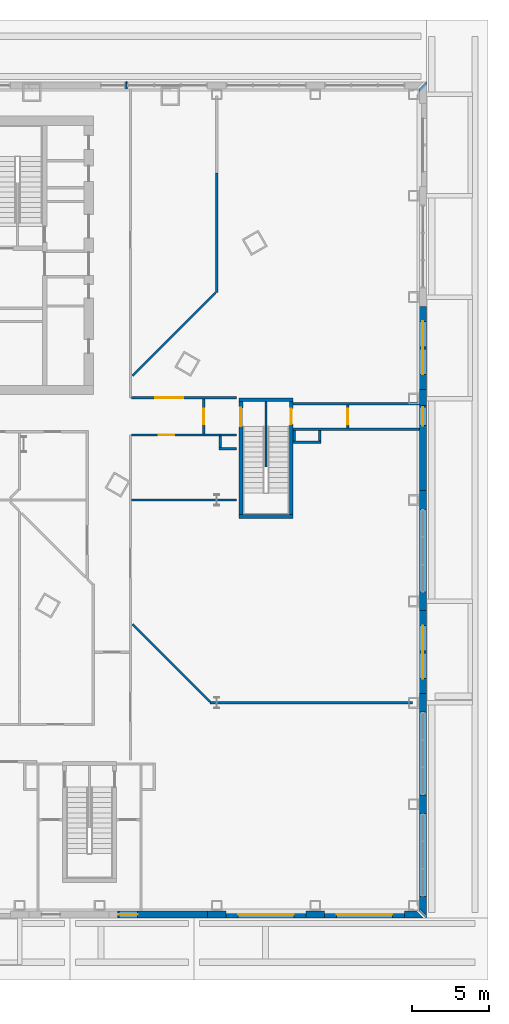
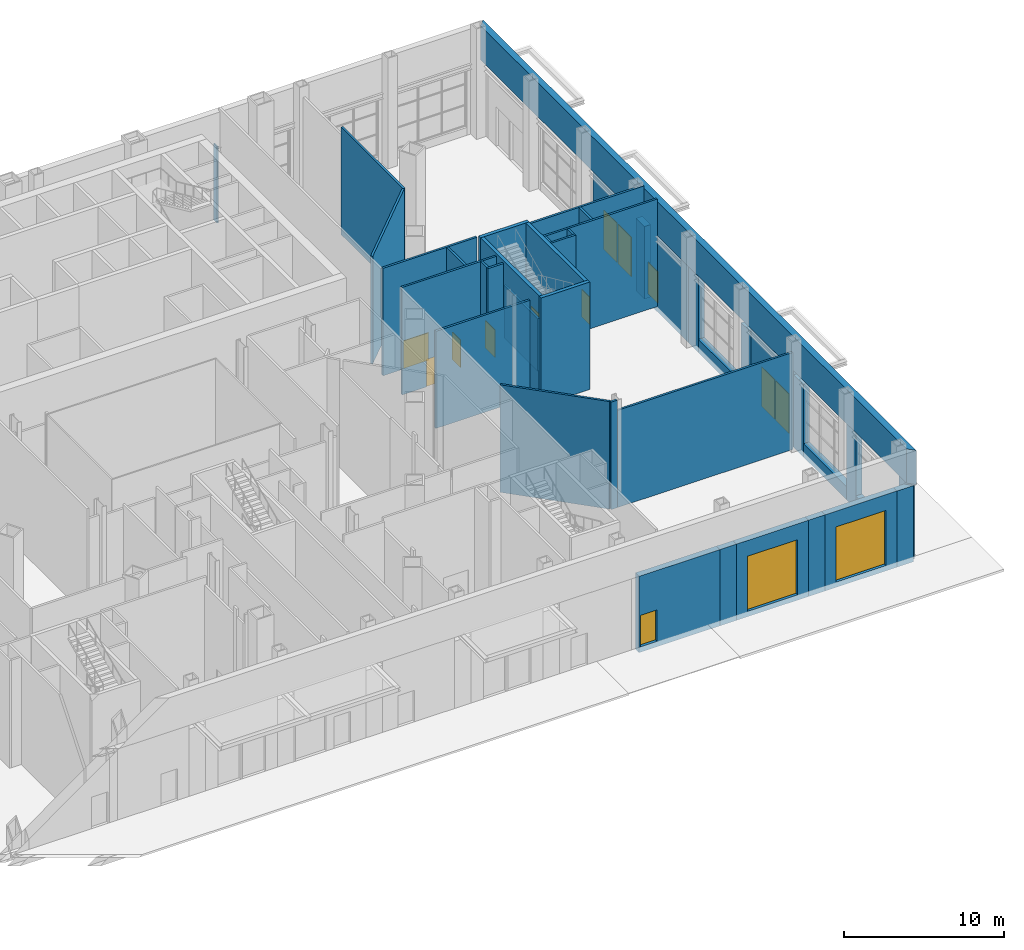
# One storey, part 23 of 34: 43 walls, 14 doors, 14 openings.
"""IFC4 building model written with IfcOpenShell, lengths in metres."""

from ifc_helpers import new_model, si_unit, direction, frame, frame_2d, origin, place, context, subcontext, project, spatial, polyline, rectangle, outline, extrude, material, layer, layer_set, type_object, element, fill, save


model = new_model("IFC4")

# Units and contexts
model_context = context("Model", 3, precision=1e-05, world=origin(), true_north=direction((0.0, 1.0)))
body_context = subcontext(model_context, "Body", "Model", "MODEL_VIEW")
ifc_project = project(units=[si_unit("LENGTHUNIT", "METRE"), si_unit("AREAUNIT", "SQUARE_METRE"), si_unit("VOLUMEUNIT", "CUBIC_METRE"), si_unit("PLANEANGLEUNIT", "RADIAN"), si_unit("MASSUNIT", "GRAM", prefix="KILO")], contexts=[model_context])

# Site, building, storey
site_placement = place(None, origin())
site = spatial("IfcSite", under=ifc_project, at=site_placement, CompositionType="ELEMENT")
building_placement = place(site_placement, origin())
building = spatial("IfcBuilding", under=site, at=building_placement, Name="Njiva Tower", CompositionType="ELEMENT")
storey_placement = place(building_placement, origin())
storey = spatial("IfcBuildingStorey", under=building, at=storey_placement, Name="L00", CompositionType="ELEMENT", Elevation=0.0)

# Wall, opening, door
ifc_material_1 = material(Name="Blockwork", Category="masonry")
ifc_layer_1 = layer(ifc_material_1, 0.15)
ifc_layer_set_1 = layer_set([ifc_layer_1], Name="Blockwork")
wall_type_1 = type_object("IfcWallType", Name="WT2 Lobby partition 150", PredefinedType="PARTITIONING", material=ifc_layer_set_1)
wall_1_placement = place(storey_placement, frame((33.925, -2.15, 0.0), z_axis=(0.0, 0.0, 1.0), x_axis=(0.0, 1.0, 0.0)))
wall_1 = element("IfcWall", 1, at=wall_1_placement, inside=storey, type_object=wall_type_1, Name="Stair G upper vestibule wall", PredefinedType="PARTITIONING", context=body_context, shape_type="SweptSolid", body=[
    extrude(rectangle(XDim=1.5, YDim=0.15, at=frame_2d((0.75, 0.0))), origin(), (0.0, 0.0, 1.0), 8.18),
])
opening_1_placement = place(wall_1_placement, frame((0.25, 0.0, 0.0)))
opening_1 = element("IfcOpeningElement", 2, at=opening_1_placement, cuts=wall_1, Name="Opening L00-D961", PredefinedType="OPENING", context=body_context, shape_type="SweptSolid", body=[
    extrude(rectangle(XDim=1.0, YDim=2.1, at=frame_2d((0.5, 1.05))), frame((0.0, 0.085, 0.0), z_axis=(0.0, -1.0, 0.0), x_axis=(1.0, 0.0, 0.0)), (0.0, 0.0, 1.0), 0.17),
])
ifc_material_2 = material(Name="Glazed steel fire door", Category="steel")
door_type_1 = type_object("IfcDoorType", Name="D11 Stair passage door 1000x2100 glazed", OperationType="SINGLE_SWING_LEFT", PredefinedType="DOOR", material=ifc_material_2)
door_1_placement = place(opening_1_placement, origin())
door_1 = element("IfcDoor", 3, at=door_1_placement, inside=storey, type_object=door_type_1, Name="Stair G passage door", OperationType="SINGLE_SWING_LEFT", OverallHeight=2.1, OverallWidth=1.0, PredefinedType="DOOR", context=body_context, shape_type="SweptSolid", body=[
    extrude(rectangle(XDim=1.0, YDim=2.1, at=frame_2d((0.5, 1.05))), frame((0.0, 0.025, 0.0), z_axis=(0.0, -1.0, 0.0), x_axis=(1.0, 0.0, 0.0)), (0.0, 0.0, 1.0), 0.05),
])
fill(opening_1, door_1)

# Wall
ifc_material_3 = material(Name="Gypsum board on steel studs", Category="gypsum")
ifc_layer_2 = layer(ifc_material_3, 0.15)
ifc_layer_set_2 = layer_set([ifc_layer_2], Name="Gypsum board on steel studs")
wall_type_2 = type_object("IfcWallType", Name="WT21 Compartment wall 150", PredefinedType="PARTITIONING", material=ifc_layer_set_2)
wall_2_placement = place(storey_placement, frame((19.975, -6.8, 0.0), z_axis=(0.0, 0.0, 1.0), x_axis=(1.0, 0.0, 0.0)))
element("IfcWall", 4, at=wall_2_placement, inside=storey, type_object=wall_type_2, Name="Partition L00-P068", PredefinedType="PARTITIONING", context=body_context, shape_type="SweptSolid", body=[
    extrude(rectangle(XDim=6.775, YDim=0.15, at=frame_2d((3.3875, 0.0))), origin(), (0.0, 0.0, 1.0), 7.39),
])

# Wall, opening, door
wall_3_placement = place(storey_placement, frame((19.975, -2.6, 0.0), z_axis=(0.0, 0.0, 1.0), x_axis=(1.0, 0.0, 0.0)))
wall_3 = element("IfcWall", 5, at=wall_3_placement, inside=storey, type_object=wall_type_2, Name="Partition L00-P069", PredefinedType="PARTITIONING", context=body_context, shape_type="SweptSolid", body=[
    extrude(rectangle(XDim=5.713, YDim=0.15, at=frame_2d((2.8565, 0.0))), origin(), (0.0, 0.0, 1.0), 8.18),
])
opening_2_placement = place(wall_3_placement, frame((1.756, 0.0, 0.0)))
opening_2 = element("IfcOpeningElement", 6, at=opening_2_placement, cuts=wall_3, Name="Opening L00-D028", PredefinedType="OPENING", context=body_context, shape_type="SweptSolid", body=[
    extrude(rectangle(XDim=1.0, YDim=2.1, at=frame_2d((0.5, 1.05))), frame((0.0, 0.085, 0.0), z_axis=(0.0, -1.0, 0.0), x_axis=(1.0, 0.0, 0.0)), (0.0, 0.0, 1.0), 0.17),
])
ifc_material_4 = material(Name="Steel fire door set", Category="steel")
door_type_2 = type_object("IfcDoorType", Name="D37 Fire door 1000x2100", OperationType="SINGLE_SWING_LEFT", PredefinedType="DOOR", material=ifc_material_4)
door_2_placement = place(opening_2_placement, origin())
door_2 = element("IfcDoor", 7, at=door_2_placement, inside=storey, type_object=door_type_2, Name="Door L00-D028", OperationType="SINGLE_SWING_LEFT", OverallHeight=2.1, OverallWidth=1.0, PredefinedType="DOOR", context=body_context, shape_type="SweptSolid", body=[
    extrude(rectangle(XDim=1.0, YDim=2.1, at=frame_2d((0.5, 1.05))), frame((0.0, 0.025, 0.0), z_axis=(0.0, -1.0, 0.0), x_axis=(1.0, 0.0, 0.0)), (0.0, 0.0, 1.0), 0.05),
])
fill(opening_2, door_2)

wall_4_placement = place(storey_placement, frame((19.975, -0.2, 0.0), z_axis=(0.0, 0.0, 1.0), x_axis=(1.0, 0.0, 0.0)))
wall_4 = element("IfcWall", 8, at=wall_4_placement, inside=storey, type_object=wall_type_2, Name="Partition L00-P070", PredefinedType="PARTITIONING", context=body_context, shape_type="SweptSolid", body=[
    extrude(rectangle(XDim=6.775, YDim=0.15, at=frame_2d((3.3875, 0.0))), origin(), (0.0, 0.0, 1.0), 8.18),
])
opening_3_placement = place(wall_4_placement, frame((1.522, 0.0, 0.0)))
opening_3 = element("IfcOpeningElement", 9, at=opening_3_placement, cuts=wall_4, Name="Opening L00-D029", PredefinedType="OPENING", context=body_context, shape_type="SweptSolid", body=[
    extrude(rectangle(XDim=1.8, YDim=2.1, at=frame_2d((0.9, 1.05))), frame((0.0, 0.085, 0.0), z_axis=(0.0, -1.0, 0.0), x_axis=(1.0, 0.0, 0.0)), (0.0, 0.0, 1.0), 0.17),
])
door_type_3 = type_object("IfcDoorType", Name="D38 Fire door 1800x2100", OperationType="DOUBLE_DOOR_SINGLE_SWING", PredefinedType="DOOR", material=ifc_material_4)
door_3_placement = place(opening_3_placement, origin())
door_3 = element("IfcDoor", 10, at=door_3_placement, inside=storey, type_object=door_type_3, Name="Door L00-D029", OperationType="DOUBLE_DOOR_SINGLE_SWING", OverallHeight=2.1, OverallWidth=1.8, PredefinedType="DOOR", context=body_context, shape_type="SweptSolid", body=[
    extrude(rectangle(XDim=1.8, YDim=2.1, at=frame_2d((0.9, 1.05))), frame((0.0, 0.025, 0.0), z_axis=(0.0, -1.0, 0.0), x_axis=(1.0, 0.0, 0.0)), (0.0, 0.0, 1.0), 0.05),
])
fill(opening_3, door_3)

# Walls
wall_5_placement = place(storey_placement, frame((20.028, -14.827, 0.0), z_axis=(0.0, 0.0, 1.0), x_axis=(0.707106781187, -0.707106781187, 0.0)))
element("IfcWall", 11, at=wall_5_placement, inside=storey, type_object=wall_type_2, Name="Partition L00-P071", PredefinedType="PARTITIONING", context=body_context, shape_type="SweptSolid", body=[
    extrude(rectangle(XDim=7.0682, YDim=0.15, at=frame_2d((3.5341, 0.0))), origin(), (0.0, 0.0, 1.0), 8.18),
])
wall_6_placement = place(storey_placement, frame((20.028, 1.228, 0.0), z_axis=(0.0, 0.0, 1.0), x_axis=(0.707106781187, 0.707106781187, 0.0)))
element("IfcWall", 12, at=wall_6_placement, inside=storey, type_object=wall_type_2, Name="Partition L00-P072", PredefinedType="PARTITIONING", context=body_context, shape_type="SweptSolid", body=[
    extrude(rectangle(XDim=7.5858, YDim=0.15, at=frame_2d((3.7929, 0.0))), origin(), (0.0, 0.0, 1.0), 8.18),
])

# Wall, opening, door
wall_7_placement = place(storey_placement, frame((24.625, -2.525, 0.0), z_axis=(0.0, 0.0, 1.0), x_axis=(0.0, 1.0, 0.0)))
wall_7 = element("IfcWall", 13, at=wall_7_placement, inside=storey, type_object=wall_type_2, Name="Partition L00-P073", PredefinedType="PARTITIONING", context=body_context, shape_type="SweptSolid", body=[
    extrude(rectangle(XDim=2.25, YDim=0.15, at=frame_2d((1.125, 0.0))), origin(), (0.0, 0.0, 1.0), 8.18),
])
opening_4_placement = place(wall_7_placement, frame((0.625, 0.0, 0.0)))
opening_4 = element("IfcOpeningElement", 14, at=opening_4_placement, cuts=wall_7, Name="Opening L00-D030", PredefinedType="OPENING", context=body_context, shape_type="SweptSolid", body=[
    extrude(rectangle(XDim=1.0, YDim=2.1, at=frame_2d((0.5, 1.05))), frame((0.0, 0.085, 0.0), z_axis=(0.0, -1.0, 0.0), x_axis=(1.0, 0.0, 0.0)), (0.0, 0.0, 1.0), 0.17),
])
door_type_4 = type_object("IfcDoorType", Name="D41 Glazed fire door 1000x2100", OperationType="SINGLE_SWING_LEFT", PredefinedType="DOOR", material=ifc_material_2)
door_4_placement = place(opening_4_placement, origin())
door_4 = element("IfcDoor", 15, at=door_4_placement, inside=storey, type_object=door_type_4, Name="Door L00-D030", OperationType="SINGLE_SWING_LEFT", OverallHeight=2.1, OverallWidth=1.0, PredefinedType="DOOR", context=body_context, shape_type="SweptSolid", body=[
    extrude(rectangle(XDim=1.0, YDim=2.1, at=frame_2d((0.5, 1.05))), frame((0.0, 0.025, 0.0), z_axis=(0.0, -1.0, 0.0), x_axis=(1.0, 0.0, 0.0)), (0.0, 0.0, 1.0), 0.05),
])
fill(opening_4, door_4)

# Walls
wall_8_placement = place(storey_placement, frame((25.026, -19.9, 0.0), z_axis=(0.0, 0.0, 1.0), x_axis=(1.0, 0.0, 0.0)))
element("IfcWall", 16, at=wall_8_placement, inside=storey, type_object=wall_type_2, Name="Partition L00-P074", PredefinedType="PARTITIONING", context=body_context, shape_type="SweptSolid", body=[
    extrude(rectangle(XDim=0.441, YDim=0.15, at=frame_2d((0.2205, 0.0))), origin(), (0.0, 0.0, 1.0), 8.18),
])
wall_9_placement = place(storey_placement, frame((25.467, -19.9, 0.0), z_axis=(0.0, 0.0, 1.0), x_axis=(0.999999996867, 7.9157761e-05, 0.0)))
element("IfcWall", 17, at=wall_9_placement, inside=storey, type_object=wall_type_2, Name="Partition L00-P074A", PredefinedType="PARTITIONING", context=body_context, shape_type="SweptSolid", body=[
    extrude(rectangle(XDim=12.633, YDim=0.15, at=frame_2d((6.3165, 0.0))), origin(), (0.0, 0.0, 1.0), 7.39),
])
wall_10_placement = place(storey_placement, frame((25.467, 6.592, 0.0), z_axis=(0.0, 0.0, 1.0), x_axis=(0.0, 1.0, 0.0)))
element("IfcWall", 18, at=wall_10_placement, inside=storey, type_object=wall_type_2, Name="Partition L00-P075", PredefinedType="PARTITIONING", context=body_context, shape_type="SweptSolid", body=[
    extrude(rectangle(XDim=7.736, YDim=0.15, at=frame_2d((3.868, 0.0))), origin(), (0.0, 0.0, 1.0), 8.18),
])
ifc_layer_3 = layer(ifc_material_3, 0.15)
ifc_layer_set_3 = layer_set([ifc_layer_3], Name="Gypsum board on steel studs")
wall_type_3 = type_object("IfcWallType", Name="WT24 Riser room wall 150", PredefinedType="PARTITIONING", material=ifc_layer_set_3)
wall_11_placement = place(storey_placement, frame((25.625, -3.5, 0.0), z_axis=(0.0, 0.0, 1.0), x_axis=(1.0, 0.0, 0.0)))
element("IfcWall", 19, at=wall_11_placement, inside=storey, type_object=wall_type_3, Name="Partition L00-P076", PredefinedType="PARTITIONING", context=body_context, shape_type="SweptSolid", body=[
    extrude(rectangle(XDim=1.125, YDim=0.15, at=frame_2d((0.5625, 0.0))), origin(), (0.0, 0.0, 1.0), 8.18),
])
wall_12_placement = place(storey_placement, frame((25.688, -2.6, 0.0), z_axis=(0.0, 0.0, 1.0), x_axis=(1.0, 0.0, 0.0)))
element("IfcWall", 20, at=wall_12_placement, inside=storey, type_object=wall_type_3, Name="Partition L00-P077", PredefinedType="PARTITIONING", context=body_context, shape_type="SweptSolid", body=[
    extrude(rectangle(XDim=1.062, YDim=0.15, at=frame_2d((0.531, 0.0))), origin(), (0.0, 0.0, 1.0), 8.18),
])
wall_13_placement = place(storey_placement, frame((25.7, -3.425, 0.0), z_axis=(0.0, 0.0, 1.0), x_axis=(0.0, 1.0, 0.0)))
element("IfcWall", 21, at=wall_13_placement, inside=storey, type_object=wall_type_3, Name="Partition L00-P078", PredefinedType="PARTITIONING", context=body_context, shape_type="SweptSolid", body=[
    extrude(rectangle(XDim=0.75, YDim=0.15, at=frame_2d((0.375, 0.0))), origin(), (0.0, 0.0, 1.0), 8.18),
])
ifc_layer_4 = layer(ifc_material_1, 0.15)
ifc_layer_set_4 = layer_set([ifc_layer_4], Name="Blockwork")
wall_type_4 = type_object("IfcWallType", Name="WT4 Stair partition 150", PredefinedType="PARTITIONING", material=ifc_layer_set_4)
wall_14_placement = place(storey_placement, frame((28.65, -4.67, 0.0), z_axis=(0.0, 0.0, 1.0), x_axis=(0.0, 1.0, 0.0)))
element("IfcWall", 22, at=wall_14_placement, inside=storey, type_object=wall_type_4, Name="Stair G dividing wall", PredefinedType="PARTITIONING", context=body_context, shape_type="SweptSolid", body=[
    extrude(rectangle(XDim=4.22, YDim=0.15, at=frame_2d((2.11, 0.0))), origin(), (0.0, 0.0, 1.0), 4.0),
])
for number, where, z_axis, x_axis, name in (
    (23, (38.55, -2.225, 0.0), (0.0, 0.0, 1.0), (-1.0, 0.0, 0.0), "Stair G exit passage wall south"),
    (24, (38.55, -0.575, 0.0), (0.0, 0.0, 1.0), (-1.0, 0.0, 0.0), "Stair G exit passage wall north"),
):
    element("IfcWall", number, at=place(storey_placement, frame(where, z_axis=z_axis, x_axis=x_axis)), inside=storey, type_object=wall_type_4, Name=name, PredefinedType="PARTITIONING", context=body_context, shape_type="SweptSolid", body=[
        extrude(rectangle(XDim=8.15, YDim=0.15, at=frame_2d((4.075, 0.0))), origin(), (0.0, 0.0, 1.0), 8.18),
    ])
wall_15_placement = place(storey_placement, frame((30.4, -3.075, 0.0), z_axis=(0.0, 0.0, 1.0), x_axis=(1.0, 0.0, 0.0)))
element("IfcWall", 25, at=wall_15_placement, inside=storey, type_object=wall_type_4, Name="Stair G upper pressurisation shaft wall", PredefinedType="PARTITIONING", context=body_context, shape_type="SweptSolid", body=[
    extrude(rectangle(XDim=1.8, YDim=0.15, at=frame_2d((0.9, 0.0))), origin(), (0.0, 0.0, 1.0), 8.18),
])
for number, where, z_axis, x_axis, name in (
    (26, (30.475, -3.0, 0.0), (0.0, 0.0, 1.0), (0.0, 1.0, 0.0), "Stair G upper pressurisation shaft wall"),
    (27, (32.125, -3.0, 0.0), (0.0, 0.0, 1.0), (0.0, 1.0, 0.0), "Stair G upper pressurisation shaft wall"),
):
    element("IfcWall", number, at=place(storey_placement, frame(where, z_axis=z_axis, x_axis=x_axis)), inside=storey, type_object=wall_type_4, Name=name, PredefinedType="PARTITIONING", context=body_context, shape_type="SweptSolid", body=[
        extrude(rectangle(XDim=0.7, YDim=0.15, at=frame_2d((0.35, 0.0))), origin(), (0.0, 0.0, 1.0), 8.18),
    ])

# Wall, opening, door
ifc_material_5 = material(Name="Concrete C40/50", Category="concrete")
ifc_layer_5 = layer(ifc_material_5, 0.25)
ifc_layer_set_5 = layer_set([ifc_layer_5], Name="Concrete C40/50")
wall_type_5 = type_object("IfcWallType", Name="WT9 Stair enclosure wall 250", PredefinedType="SHEAR", material=ifc_layer_set_5)
wall_16_placement = place(storey_placement, frame((27.025, -7.75, 0.0), z_axis=(0.0, 0.0, 1.0), x_axis=(0.0, 1.0, 0.0)))
wall_16 = element("IfcWall", 28, at=wall_16_placement, inside=storey, type_object=wall_type_5, Name="Stair G wall west", PredefinedType="SHEAR", context=body_context, shape_type="SweptSolid", body=[
    extrude(rectangle(XDim=7.3, YDim=0.25, at=frame_2d((3.65, 0.0))), origin(), (0.0, 0.0, 1.0), 8.18),
])
opening_5_placement = place(wall_16_placement, frame((5.7, 0.0, 0.0)))
opening_5 = element("IfcOpeningElement", 29, at=opening_5_placement, cuts=wall_16, Name="Opening L00-D959", PredefinedType="OPENING", context=body_context, shape_type="SweptSolid", body=[
    extrude(rectangle(XDim=1.2, YDim=2.1, at=frame_2d((0.6, 1.05))), frame((0.0, 0.135, 0.0), z_axis=(0.0, -1.0, 0.0), x_axis=(1.0, 0.0, 0.0)), (0.0, 0.0, 1.0), 0.27),
])
ifc_material_6 = material(Name="Steel door, painted", Category="steel")
door_type_5 = type_object("IfcDoorType", Name="D1 Stair door 1200x2100", OperationType="SINGLE_SWING_LEFT", PredefinedType="DOOR", material=ifc_material_6)
door_5_placement = place(opening_5_placement, origin())
door_5 = element("IfcDoor", 30, at=door_5_placement, inside=storey, type_object=door_type_5, Name="Stair G door", OperationType="SINGLE_SWING_LEFT", OverallHeight=2.1, OverallWidth=1.2, PredefinedType="DOOR", context=body_context, shape_type="SweptSolid", body=[
    extrude(rectangle(XDim=1.2, YDim=2.1, at=frame_2d((0.6, 1.05))), frame((0.0, 0.025, 0.0), z_axis=(0.0, -1.0, 0.0), x_axis=(1.0, 0.0, 0.0)), (0.0, 0.0, 1.0), 0.05),
])
fill(opening_5, door_5)

wall_17_placement = place(storey_placement, frame((30.275, -7.75, 0.0), z_axis=(0.0, 0.0, 1.0), x_axis=(0.0, 1.0, 0.0)))
wall_17 = element("IfcWall", 31, at=wall_17_placement, inside=storey, type_object=wall_type_5, Name="Stair G wall east", PredefinedType="SHEAR", context=body_context, shape_type="SweptSolid", body=[
    extrude(rectangle(XDim=7.3, YDim=0.25, at=frame_2d((3.65, 0.0))), origin(), (0.0, 0.0, 1.0), 8.18),
])
opening_6_placement = place(wall_17_placement, frame((5.85, 0.0, 0.0)))
opening_6 = element("IfcOpeningElement", 32, at=opening_6_placement, cuts=wall_17, Name="Opening L00-D960", PredefinedType="OPENING", context=body_context, shape_type="SweptSolid", body=[
    extrude(rectangle(XDim=1.0, YDim=2.1, at=frame_2d((0.5, 1.05))), frame((0.0, 0.135, 0.0), z_axis=(0.0, -1.0, 0.0), x_axis=(1.0, 0.0, 0.0)), (0.0, 0.0, 1.0), 0.27),
])
door_type_6 = type_object("IfcDoorType", Name="D9 Stair vestibule door 1000x2100 glazed", OperationType="SINGLE_SWING_LEFT", PredefinedType="DOOR", material=ifc_material_2)
door_6_placement = place(opening_6_placement, origin())
door_6 = element("IfcDoor", 33, at=door_6_placement, inside=storey, type_object=door_type_6, Name="Stair G door", OperationType="SINGLE_SWING_RIGHT", OverallHeight=2.1, OverallWidth=1.0, PredefinedType="DOOR", context=body_context, shape_type="SweptSolid", body=[
    extrude(rectangle(XDim=1.0, YDim=2.1, at=frame_2d((0.5, 1.05))), frame((0.0, 0.025, 0.0), z_axis=(0.0, -1.0, 0.0), x_axis=(1.0, 0.0, 0.0)), (0.0, 0.0, 1.0), 0.05),
])
fill(opening_6, door_6)

# Walls
for number, where, z_axis, x_axis, name in (
    (34, (26.9, -7.875, 0.0), (0.0, 0.0, 1.0), (1.0, 0.0, 0.0), "Stair G wall south"),
    (35, (26.9, -0.325, 0.0), (0.0, 0.0, 1.0), (1.0, 0.0, 0.0), "Stair G wall north"),
):
    element("IfcWall", number, at=place(storey_placement, frame(where, z_axis=z_axis, x_axis=x_axis)), inside=storey, type_object=wall_type_5, Name=name, PredefinedType="SHEAR", context=body_context, shape_type="SweptSolid", body=[
        extrude(rectangle(XDim=3.5, YDim=0.25, at=frame_2d((1.75, 0.0))), origin(), (0.0, 0.0, 1.0), 8.18),
    ])
ifc_material_7 = material(Name="Brick masonry", Category="masonry")
ifc_layer_6 = layer(ifc_material_7, 0.45)
ifc_layer_set_6 = layer_set([ifc_layer_6], Name="Brick masonry")
wall_type_6 = type_object("IfcWallType", Name="WT90 Brick pier and spandrel wall 450", PredefinedType="SOLIDWALL", material=ifc_layer_set_6)
wall_18_placement = place(storey_placement, frame((38.775, -33.575, 5.4), z_axis=(0.0, 0.0, 1.0), x_axis=(0.0, 1.0, 0.0)))
element("IfcWall", 36, at=wall_18_placement, inside=storey, type_object=wall_type_6, Name="Podium frieze E", PredefinedType="SOLIDWALL", context=body_context, shape_type="SweptSolid", body=[
    extrude(outline(polyline([(-0.225, -0.225), (53.775, -0.225), (53.325, 0.225), (0.225, 0.225), (-0.225, -0.225)])), origin(), (0.0, 0.0, 1.0), 2.6),
])
wall_19_placement = place(storey_placement, frame((38.775, -33.375, -0.4), z_axis=(0.0, 0.0, 1.0), x_axis=(0.0, 1.0, 0.0)))
element("IfcWall", 37, at=wall_19_placement, inside=storey, type_object=wall_type_6, Name="Podium pier E1", PredefinedType="SOLIDWALL", context=body_context, shape_type="SweptSolid", body=[
    extrude(outline(polyline([(-0.225, -0.225), (0.975, -0.225), (0.975, 0.225), (0.225, 0.225), (-0.225, -0.225)])), origin(), (0.0, 0.0, 1.0), 5.8),
])
wall_20_placement = place(storey_placement, frame((38.775, -27.05, -0.4), z_axis=(0.0, 0.0, 1.0), x_axis=(0.0, 1.0, 0.0)))
element("IfcWall", 38, at=wall_20_placement, inside=storey, type_object=wall_type_6, Name="Podium pier E2", PredefinedType="SOLIDWALL", context=body_context, shape_type="SweptSolid", body=[
    extrude(outline(polyline([(0.0, -0.225), (1.2, -0.225), (1.2, 0.225), (0.0, 0.225), (0.0, -0.225)])), origin(), (0.0, 0.0, 1.0), 5.8),
])
for number, where, z_axis, x_axis, name in (
    (39, (38.775, -20.5, -0.4), (0.0, 0.0, 1.0), (0.0, 1.0, 0.0), "Podium pier E3"),
    (40, (38.775, -13.95, -0.4), (0.0, 0.0, 1.0), (0.0, 1.0, 0.0), "Podium pier E4"),
):
    element("IfcWall", number, at=place(storey_placement, frame(where, z_axis=z_axis, x_axis=x_axis)), inside=storey, type_object=wall_type_6, Name=name, PredefinedType="SOLIDWALL", context=body_context, shape_type="SweptSolid", body=[
        extrude(outline(polyline([(0.0, -0.225), (1.2, -0.225), (1.2, 0.225), (0.0, 0.225), (0.0, -0.225)])), origin(), (0.0, 0.0, 1.0), 5.51),
    ])
wall_21_placement = place(storey_placement, frame((38.775, -7.4, -0.4), z_axis=(0.0, 0.0, 1.0), x_axis=(0.0, 1.0, 0.0)))
element("IfcWall", 41, at=wall_21_placement, inside=storey, type_object=wall_type_6, Name="Podium pier E5", PredefinedType="SOLIDWALL", context=body_context, shape_type="SweptSolid", body=[
    extrude(outline(polyline([(0.0, -0.225), (1.2, -0.225), (1.2, 0.225), (0.0, 0.225), (0.0, -0.225)])), origin(), (0.0, 0.0, 1.0), 5.8),
])
wall_22_placement = place(storey_placement, frame((38.775, -0.7, -0.4), z_axis=(0.0, 0.0, 1.0), x_axis=(0.0, 1.0, 0.0)))
element("IfcWall", 42, at=wall_22_placement, inside=storey, type_object=wall_type_6, Name="Podium pier E6", PredefinedType="SOLIDWALL", context=body_context, shape_type="SweptSolid", body=[
    extrude(outline(polyline([(0.0, -0.225), (1.05, -0.225), (1.05, 0.225), (0.0, 0.225), (0.0, -0.225)])), origin(), (0.0, 0.0, 1.0), 5.51),
])
for number, where, z_axis, x_axis, name in (
    (43, (38.775, -32.4, -0.4), (0.0, 0.0, 1.0), (0.0, 1.0, 0.0), "Shopfront plinth E1"),
    (44, (38.775, -25.85, -0.4), (0.0, 0.0, 1.0), (0.0, 1.0, 0.0), "Shopfront plinth E2"),
    (45, (38.775, -12.75, -0.4), (0.0, 0.0, 1.0), (0.0, 1.0, 0.0), "Shopfront plinth E4"),
):
    element("IfcWall", number, at=place(storey_placement, frame(where, z_axis=z_axis, x_axis=x_axis)), inside=storey, type_object=wall_type_6, Name=name, PredefinedType="SOLIDWALL", context=body_context, shape_type="SweptSolid", body=[
        extrude(outline(polyline([(0.0, -0.225), (5.35, -0.225), (5.35, 0.225), (0.0, 0.225), (0.0, -0.225)])), origin(), (0.0, 0.0, 1.0), 1.0),
    ])
wall_23_placement = place(storey_placement, frame((19.7, 19.975, -0.4), z_axis=(0.0, 0.0, 1.0), x_axis=(-1.0, 0.0, 0.0)))
element("IfcWall", 46, at=wall_23_placement, inside=storey, type_object=wall_type_6, Name="Podium pier N4", PredefinedType="SOLIDWALL", context=body_context, shape_type="SweptSolid", body=[
    extrude(outline(polyline([(0.0, -0.225), (0.1, -0.225), (0.1, 0.225), (0.0, 0.225), (0.0, -0.225)])), origin(), (0.0, 0.0, 1.0), 5.8),
])
for number, where, z_axis, x_axis, name in (
    (47, (24.8667, -33.575, -0.4), (0.0, 0.0, 1.0), (1.0, 0.0, 0.0), "Podium pier S11"),
    (48, (31.2333, -33.575, -0.4), (0.0, 0.0, 1.0), (1.0, 0.0, 0.0), "Podium pier S12"),
):
    element("IfcWall", number, at=place(storey_placement, frame(where, z_axis=z_axis, x_axis=x_axis)), inside=storey, type_object=wall_type_6, Name=name, PredefinedType="SOLIDWALL", context=body_context, shape_type="SweptSolid", body=[
        extrude(outline(polyline([(0.0, -0.225), (1.2, -0.225), (1.2, 0.225), (0.0, 0.225), (0.0, -0.225)])), origin(), (0.0, 0.0, 1.0), 5.8),
    ])
wall_24_placement = place(storey_placement, frame((37.6, -33.575, -0.4), z_axis=(0.0, 0.0, 1.0), x_axis=(1.0, 0.0, 0.0)))
element("IfcWall", 49, at=wall_24_placement, inside=storey, type_object=wall_type_6, Name="Podium pier S13", PredefinedType="SOLIDWALL", context=body_context, shape_type="SweptSolid", body=[
    extrude(outline(polyline([(0.0, -0.225), (1.2, -0.225), (0.75, 0.225), (0.0, 0.225), (0.0, -0.225)])), origin(), (0.0, 0.0, 1.0), 5.8),
])

# Wall, openings, doors
ifc_layer_7 = layer(ifc_material_7, 0.45)
ifc_layer_set_7 = layer_set([ifc_layer_7], Name="Brick masonry")
wall_type_7 = type_object("IfcWallType", Name="WT91 Entrance infill wall 450", PredefinedType="SOLIDWALL", material=ifc_layer_set_7)
wall_25_placement = place(storey_placement, frame((38.775, -19.3, -0.4), z_axis=(0.0, 0.0, 1.0), x_axis=(0.0, 1.0, 0.0)))
wall_25 = element("IfcWall", 50, at=wall_25_placement, inside=storey, type_object=wall_type_7, Name="Entrance infill E3", PredefinedType="SOLIDWALL", context=body_context, shape_type="SweptSolid", body=[
    extrude(outline(polyline([(0.0, -0.225), (5.35, -0.225), (5.35, 0.225), (0.0, 0.225), (0.0, -0.225)])), origin(), (0.0, 0.0, 1.0), 5.8),
])
opening_7_placement = place(wall_25_placement, frame((0.965, 0.0, 0.4)))
opening_7 = element("IfcOpeningElement", 51, at=opening_7_placement, cuts=wall_25, Name="Opening L00-D01", PredefinedType="OPENING", context=body_context, shape_type="SweptSolid", body=[
    extrude(rectangle(XDim=1.65, YDim=3.0, at=frame_2d((0.825, 1.5))), frame((0.0, 0.235, 0.0), z_axis=(0.0, -1.0, 0.0), x_axis=(1.0, 0.0, 0.0)), (0.0, 0.0, 1.0), 0.47),
])
opening_8_placement = place(wall_25_placement, frame((2.735, 0.0, 0.4)))
opening_8 = element("IfcOpeningElement", 52, at=opening_8_placement, cuts=wall_25, Name="Opening L00-D13", PredefinedType="OPENING", context=body_context, shape_type="SweptSolid", body=[
    extrude(rectangle(XDim=1.65, YDim=3.0, at=frame_2d((0.825, 1.5))), frame((0.0, 0.235, 0.0), z_axis=(0.0, -1.0, 0.0), x_axis=(1.0, 0.0, 0.0)), (0.0, 0.0, 1.0), 0.47),
])
ifc_material_8 = material(Name="Aluminium frame with clear glazing", Category="aluminium")
door_type_7 = type_object("IfcDoorType", Name="D93 Entrance door 1650x3000", OperationType="DOUBLE_DOOR_DOUBLE_SWING", PredefinedType="DOOR", material=ifc_material_8)
door_7_placement = place(opening_7_placement, frame((1.65, 0.0, 0.0), z_axis=(0.0, 0.0, 1.0), x_axis=(-1.0, 0.0, 0.0)))
door_7 = element("IfcDoor", 53, at=door_7_placement, inside=storey, type_object=door_type_7, Name="Station entrance door", OperationType="DOUBLE_DOOR_DOUBLE_SWING", OverallHeight=3.0, OverallWidth=1.65, PredefinedType="DOOR", context=body_context, shape_type="SweptSolid", body=[
    extrude(rectangle(XDim=1.65, YDim=3.0, at=frame_2d((0.825, 1.5))), frame((0.0, 0.025, 0.0), z_axis=(0.0, -1.0, 0.0), x_axis=(1.0, 0.0, 0.0)), (0.0, 0.0, 1.0), 0.05),
])
fill(opening_7, door_7)
door_8_placement = place(opening_8_placement, frame((1.65, 0.0, 0.0), z_axis=(0.0, 0.0, 1.0), x_axis=(-1.0, 0.0, 0.0)))
door_8 = element("IfcDoor", 54, at=door_8_placement, inside=storey, type_object=door_type_7, Name="Station entrance door", OperationType="DOUBLE_DOOR_DOUBLE_SWING", OverallHeight=3.0, OverallWidth=1.65, PredefinedType="DOOR", context=body_context, shape_type="SweptSolid", body=[
    extrude(rectangle(XDim=1.65, YDim=3.0, at=frame_2d((0.825, 1.5))), frame((0.0, 0.025, 0.0), z_axis=(0.0, -1.0, 0.0), x_axis=(1.0, 0.0, 0.0)), (0.0, 0.0, 1.0), 0.05),
])
fill(opening_8, door_8)

# Wall, opening, door
wall_26_placement = place(storey_placement, frame((38.775, -6.2, -0.4), z_axis=(0.0, 0.0, 1.0), x_axis=(0.0, 1.0, 0.0)))
wall_26 = element("IfcWall", 55, at=wall_26_placement, inside=storey, type_object=wall_type_7, Name="Exit infill E5", PredefinedType="SOLIDWALL", context=body_context, shape_type="SweptSolid", body=[
    extrude(outline(polyline([(0.0, -0.225), (5.5, -0.225), (5.5, 0.225), (0.0, 0.225), (0.0, -0.225)])), origin(), (0.0, 0.0, 1.0), 5.8),
])
opening_9_placement = place(wall_26_placement, frame((4.2, 0.0, 0.4)))
opening_9 = element("IfcOpeningElement", 56, at=opening_9_placement, cuts=wall_26, Name="Opening L00-ED1", PredefinedType="OPENING", context=body_context, shape_type="SweptSolid", body=[
    extrude(rectangle(XDim=1.2, YDim=2.4, at=frame_2d((0.6, 1.2))), frame((0.0, 0.235, 0.0), z_axis=(0.0, -1.0, 0.0), x_axis=(1.0, 0.0, 0.0)), (0.0, 0.0, 1.0), 0.47),
])
ifc_material_9 = material(Name="Steel frame door leaf", Category="steel")
door_type_8 = type_object("IfcDoorType", Name="D95 Exit discharge door 1200x2400", OperationType="SINGLE_SWING_RIGHT", PredefinedType="DOOR", material=ifc_material_9)
door_9_placement = place(opening_9_placement, frame((1.2, 0.0, 0.0), z_axis=(0.0, 0.0, 1.0), x_axis=(-1.0, 0.0, 0.0)))
door_9 = element("IfcDoor", 57, at=door_9_placement, inside=storey, type_object=door_type_8, Name="Exit door G", OperationType="SINGLE_SWING_RIGHT", OverallHeight=2.4, OverallWidth=1.2, PredefinedType="DOOR", context=body_context, shape_type="SweptSolid", body=[
    extrude(rectangle(XDim=1.2, YDim=2.4, at=frame_2d((0.6, 1.2))), frame((0.0, 0.025, 0.0), z_axis=(0.0, -1.0, 0.0), x_axis=(1.0, 0.0, 0.0)), (0.0, 0.0, 1.0), 0.05),
])
fill(opening_9, door_9)

# Wall, openings, doors
wall_27_placement = place(storey_placement, frame((38.775, 0.35, -0.4), z_axis=(0.0, 0.0, 1.0), x_axis=(0.0, 1.0, 0.0)))
wall_27 = element("IfcWall", 58, at=wall_27_placement, inside=storey, type_object=wall_type_7, Name="Entrance infill E6", PredefinedType="SOLIDWALL", context=body_context, shape_type="SweptSolid", body=[
    extrude(outline(polyline([(0.0, -0.225), (5.35, -0.225), (5.35, 0.225), (0.0, 0.225), (0.0, -0.225)])), origin(), (0.0, 0.0, 1.0), 5.8),
])
opening_10_placement = place(wall_27_placement, frame((0.965, 0.0, 0.4)))
opening_10 = element("IfcOpeningElement", 59, at=opening_10_placement, cuts=wall_27, Name="Opening L00-D02", PredefinedType="OPENING", context=body_context, shape_type="SweptSolid", body=[
    extrude(rectangle(XDim=1.65, YDim=3.0, at=frame_2d((0.825, 1.5))), frame((0.0, 0.235, 0.0), z_axis=(0.0, -1.0, 0.0), x_axis=(1.0, 0.0, 0.0)), (0.0, 0.0, 1.0), 0.47),
])
opening_11_placement = place(wall_27_placement, frame((2.735, 0.0, 0.4)))
opening_11 = element("IfcOpeningElement", 60, at=opening_11_placement, cuts=wall_27, Name="Opening L00-D14", PredefinedType="OPENING", context=body_context, shape_type="SweptSolid", body=[
    extrude(rectangle(XDim=1.65, YDim=3.0, at=frame_2d((0.825, 1.5))), frame((0.0, 0.235, 0.0), z_axis=(0.0, -1.0, 0.0), x_axis=(1.0, 0.0, 0.0)), (0.0, 0.0, 1.0), 0.47),
])
door_10_placement = place(opening_10_placement, frame((1.65, 0.0, 0.0), z_axis=(0.0, 0.0, 1.0), x_axis=(-1.0, 0.0, 0.0)))
door_10 = element("IfcDoor", 61, at=door_10_placement, inside=storey, type_object=door_type_7, Name="Station entrance door", OperationType="DOUBLE_DOOR_DOUBLE_SWING", OverallHeight=3.0, OverallWidth=1.65, PredefinedType="DOOR", context=body_context, shape_type="SweptSolid", body=[
    extrude(rectangle(XDim=1.65, YDim=3.0, at=frame_2d((0.825, 1.5))), frame((0.0, 0.025, 0.0), z_axis=(0.0, -1.0, 0.0), x_axis=(1.0, 0.0, 0.0)), (0.0, 0.0, 1.0), 0.05),
])
fill(opening_10, door_10)
door_11_placement = place(opening_11_placement, frame((1.65, 0.0, 0.0), z_axis=(0.0, 0.0, 1.0), x_axis=(-1.0, 0.0, 0.0)))
door_11 = element("IfcDoor", 62, at=door_11_placement, inside=storey, type_object=door_type_7, Name="Station entrance door", OperationType="DOUBLE_DOOR_DOUBLE_SWING", OverallHeight=3.0, OverallWidth=1.65, PredefinedType="DOOR", context=body_context, shape_type="SweptSolid", body=[
    extrude(rectangle(XDim=1.65, YDim=3.0, at=frame_2d((0.825, 1.5))), frame((0.0, 0.025, 0.0), z_axis=(0.0, -1.0, 0.0), x_axis=(1.0, 0.0, 0.0)), (0.0, 0.0, 1.0), 0.05),
])
fill(opening_11, door_11)

# Wall, opening, door
wall_28_placement = place(storey_placement, frame((19.05, -33.575, -0.4), z_axis=(0.0, 0.0, 1.0), x_axis=(1.0, 0.0, 0.0)))
wall_28 = element("IfcWall", 63, at=wall_28_placement, inside=storey, type_object=wall_type_7, Name="Exit infill S10", PredefinedType="SOLIDWALL", context=body_context, shape_type="SweptSolid", body=[
    extrude(outline(polyline([(0.0, -0.225), (5.8167, -0.225), (5.8167, 0.225), (0.0, 0.225), (0.0, -0.225)])), origin(), (0.0, 0.0, 1.0), 5.8),
])
opening_12_placement = place(wall_28_placement, frame((0.1, 0.0, 0.4)))
opening_12 = element("IfcOpeningElement", 64, at=opening_12_placement, cuts=wall_28, Name="Opening L00-ED10", PredefinedType="OPENING", context=body_context, shape_type="SweptSolid", body=[
    extrude(rectangle(XDim=1.2, YDim=2.4, at=frame_2d((0.6, 1.2))), frame((0.0, 0.235, 0.0), z_axis=(0.0, -1.0, 0.0), x_axis=(1.0, 0.0, 0.0)), (0.0, 0.0, 1.0), 0.47),
])
door_12_placement = place(opening_12_placement, frame((1.2, 0.0, 0.0), z_axis=(0.0, 0.0, 1.0), x_axis=(-1.0, 0.0, 0.0)))
door_12 = element("IfcDoor", 65, at=door_12_placement, inside=storey, type_object=door_type_8, Name="Exit door E", OperationType="SINGLE_SWING_LEFT", OverallHeight=2.4, OverallWidth=1.2, PredefinedType="DOOR", context=body_context, shape_type="SweptSolid", body=[
    extrude(rectangle(XDim=1.2, YDim=2.4, at=frame_2d((0.6, 1.2))), frame((0.0, 0.025, 0.0), z_axis=(0.0, -1.0, 0.0), x_axis=(1.0, 0.0, 0.0)), (0.0, 0.0, 1.0), 0.05),
])
fill(opening_12, door_12)

wall_29_placement = place(storey_placement, frame((26.0667, -33.575, -0.4), z_axis=(0.0, 0.0, 1.0), x_axis=(1.0, 0.0, 0.0)))
wall_29 = element("IfcWall", 66, at=wall_29_placement, inside=storey, type_object=wall_type_7, Name="Entrance infill S11", PredefinedType="SOLIDWALL", context=body_context, shape_type="SweptSolid", body=[
    extrude(outline(polyline([(0.0, -0.225), (5.1666, -0.225), (5.1666, 0.225), (0.0, 0.225), (0.0, -0.225)])), origin(), (0.0, 0.0, 1.0), 5.8),
])
opening_13_placement = place(wall_29_placement, frame((0.7833, 0.0, 0.4)))
opening_13 = element("IfcOpeningElement", 67, at=opening_13_placement, cuts=wall_29, Name="Opening L00-D11", PredefinedType="OPENING", context=body_context, shape_type="SweptSolid", body=[
    extrude(rectangle(XDim=3.6, YDim=4.2, at=frame_2d((1.8, 2.1))), frame((0.0, 0.235, 0.0), z_axis=(0.0, -1.0, 0.0), x_axis=(1.0, 0.0, 0.0)), (0.0, 0.0, 1.0), 0.47),
])
ifc_material_10 = material(Name="Steel roller shutter", Category="steel")
door_type_9 = type_object("IfcDoorType", Name="D94 Loading door 3600x4200", OperationType="ROLLINGUP", PredefinedType="GATE", material=ifc_material_10)
door_13_placement = place(opening_13_placement, frame((3.6, 0.0, 0.0), z_axis=(0.0, 0.0, 1.0), x_axis=(-1.0, 0.0, 0.0)))
door_13 = element("IfcDoor", 68, at=door_13_placement, inside=storey, type_object=door_type_9, Name="Loading door", OperationType="ROLLINGUP", OverallHeight=4.2, OverallWidth=3.6, PredefinedType="GATE", context=body_context, shape_type="SweptSolid", body=[
    extrude(rectangle(XDim=3.6, YDim=4.2, at=frame_2d((1.8, 2.1))), frame((0.0, 0.025, 0.0), z_axis=(0.0, -1.0, 0.0), x_axis=(1.0, 0.0, 0.0)), (0.0, 0.0, 1.0), 0.05),
])
fill(opening_13, door_13)

wall_30_placement = place(storey_placement, frame((32.4333, -33.575, -0.4), z_axis=(0.0, 0.0, 1.0), x_axis=(1.0, 0.0, 0.0)))
wall_30 = element("IfcWall", 69, at=wall_30_placement, inside=storey, type_object=wall_type_7, Name="Entrance infill S12", PredefinedType="SOLIDWALL", context=body_context, shape_type="SweptSolid", body=[
    extrude(outline(polyline([(0.0, -0.225), (5.1667, -0.225), (5.1667, 0.225), (0.0, 0.225), (0.0, -0.225)])), origin(), (0.0, 0.0, 1.0), 5.8),
])
opening_14_placement = place(wall_30_placement, frame((0.7834, 0.0, 0.4)))
opening_14 = element("IfcOpeningElement", 70, at=opening_14_placement, cuts=wall_30, Name="Opening L00-D12", PredefinedType="OPENING", context=body_context, shape_type="SweptSolid", body=[
    extrude(rectangle(XDim=3.6, YDim=4.2, at=frame_2d((1.8, 2.1))), frame((0.0, 0.235, 0.0), z_axis=(0.0, -1.0, 0.0), x_axis=(1.0, 0.0, 0.0)), (0.0, 0.0, 1.0), 0.47),
])
door_14_placement = place(opening_14_placement, frame((3.6, 0.0, 0.0), z_axis=(0.0, 0.0, 1.0), x_axis=(-1.0, 0.0, 0.0)))
door_14 = element("IfcDoor", 71, at=door_14_placement, inside=storey, type_object=door_type_9, Name="Loading door", OperationType="ROLLINGUP", OverallHeight=4.2, OverallWidth=3.6, PredefinedType="GATE", context=body_context, shape_type="SweptSolid", body=[
    extrude(rectangle(XDim=3.6, YDim=4.2, at=frame_2d((1.8, 2.1))), frame((0.0, 0.025, 0.0), z_axis=(0.0, -1.0, 0.0), x_axis=(1.0, 0.0, 0.0)), (0.0, 0.0, 1.0), 0.05),
])
fill(opening_14, door_14)

save(model, "model.ifc")
